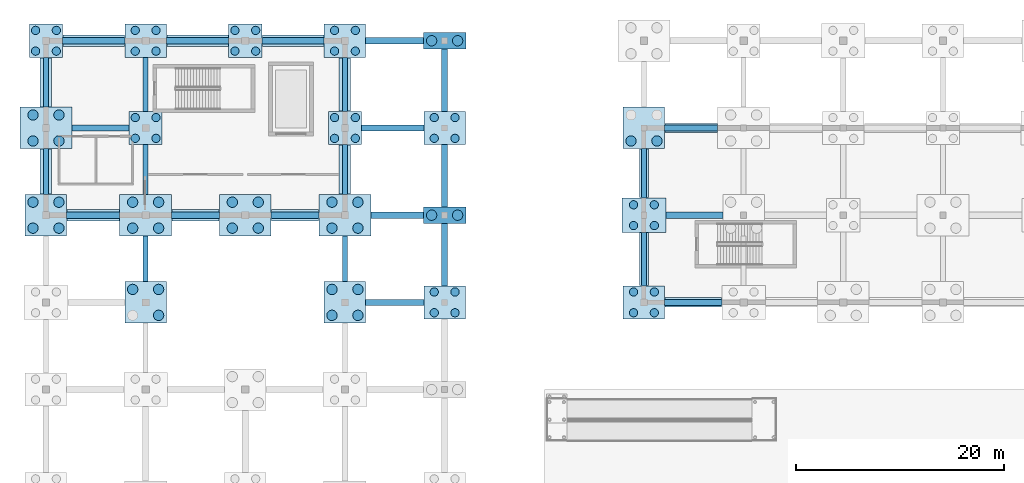
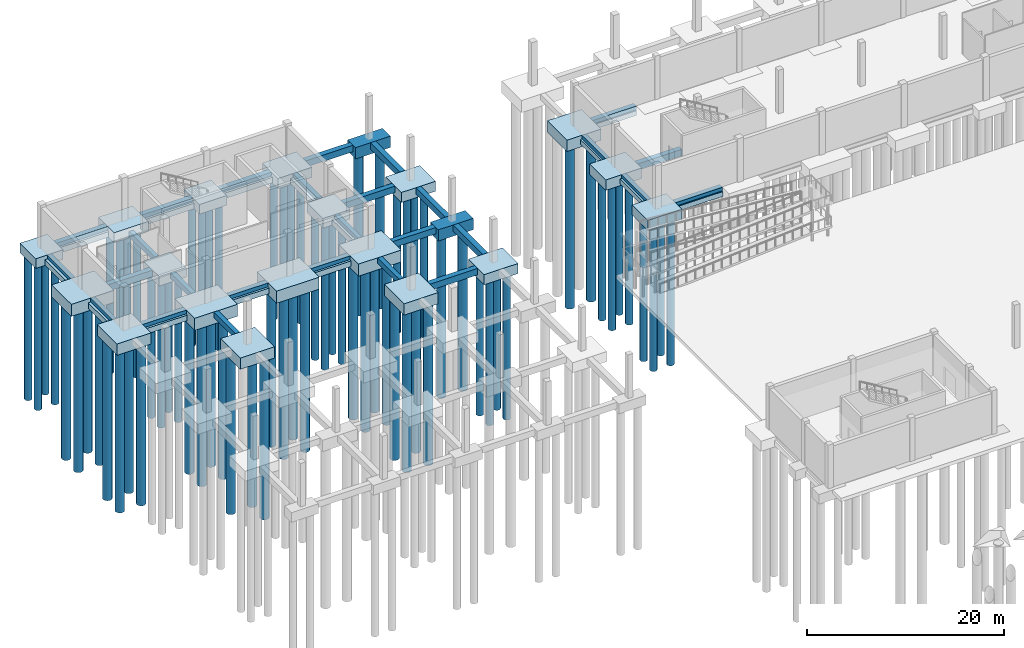
# One storey, part 5 of 41: 73 piles, 61 footings.
"""IFC4 building model written with IfcOpenShell, lengths in metres."""

from ifc_helpers import new_model, si_unit, direction, frame, origin, origin_2d, place, context, subcontext, project, spatial, rectangle, circle, extrude, material, material_profile, profile_set, type_object, element, save


model = new_model("IFC4")

# Units and contexts
model_context = context("Model", 3, precision=1e-05, world=origin(), true_north=direction((0.0, 1.0)))
body_context = subcontext(model_context, "Body", "Model", "MODEL_VIEW")
ifc_project = project(units=[si_unit("LENGTHUNIT", "METRE"), si_unit("AREAUNIT", "SQUARE_METRE"), si_unit("VOLUMEUNIT", "CUBIC_METRE"), si_unit("PLANEANGLEUNIT", "RADIAN"), si_unit("MASSUNIT", "GRAM", prefix="KILO")], contexts=[model_context])

# Site, building, storey
site_placement = place(None, origin())
site = spatial("IfcSite", under=ifc_project, at=site_placement, CompositionType="ELEMENT")
building_placement = place(site_placement, origin())
building = spatial("IfcBuilding", under=site, at=building_placement, Name="Shalvenor Court Art Gallery", CompositionType="ELEMENT")
storey_placement = place(building_placement, frame((0.0, 0.0, -5.39990234375)))
storey = spatial("IfcBuildingStorey", under=building, at=storey_placement, Name="B01", CompositionType="ELEMENT", Elevation=-5.39990234375)

# Footings
ifc_material_1 = material(Name="Concrete C35/45", Category="concrete")
footing_type_1 = type_object("IfcFootingType", Name="GB-01", PredefinedType="FOOTING_BEAM", material=ifc_material_1)
for number, where, z_axis, x_axis, name in (
    (1, (38.39990234375, 101.800048828125, -0.80029296875), (0.0, 0.0, 1.0), (0.0, 1.0, 0.0), "B01 Ground Tie Beam FTG-227"),
    (2, (38.39990234375, 109.39990234375, -0.80029296875), (0.0, 0.0, 1.0), (0.0, 1.0, 0.0), "B01 Ground Tie Beam FTG-228"),
    (3, (38.39990234375, 118.60009765625, -0.80029296875), (0.0, 0.0, 1.0), (0.0, 1.0, 0.0), "B01 Ground Tie Beam FTG-229"),
):
    element("IfcFooting", number, at=place(storey_placement, frame(where, z_axis=z_axis, x_axis=x_axis)), inside=storey, type_object=footing_type_1, Name=name, PredefinedType="FOOTING_BEAM", context=body_context, shape_type="SweptSolid", body=[
        extrude(rectangle(XDim=6.0, YDim=0.60009765625, at=origin_2d()), origin(), (0.0, 0.0, 1.0), 0.800048828125),
    ])
footing_1_placement = place(storey_placement, frame((33.60009765625, 97.199951171875, -0.80029296875), z_axis=(0.0, 0.0, 1.0), x_axis=(1.0, 0.0, 0.0)))
element("IfcFooting", 4, at=footing_1_placement, inside=storey, type_object=footing_type_1, Name="B01 Ground Tie Beam FTG-433", PredefinedType="FOOTING_BEAM", context=body_context, shape_type="SweptSolid", body=[
    extrude(rectangle(XDim=5.60009765625, YDim=0.60009765625, at=origin_2d()), origin(), (0.0, 0.0, 1.0), 0.800048828125),
])
footing_2_placement = place(storey_placement, frame((62.35009765625, 97.199951171875, -0.80029296875), z_axis=(0.0, 0.0, 1.0), x_axis=(1.0, 0.0, 0.0)))
element("IfcFooting", 5, at=footing_2_placement, inside=storey, type_object=footing_type_1, Name="B01 Ground Tie Beam FTG-434", PredefinedType="FOOTING_BEAM", context=body_context, shape_type="SweptSolid", body=[
    extrude(rectangle(XDim=5.5, YDim=0.60009765625, at=origin_2d()), origin(), (0.0, 0.0, 1.0), 0.800048828125),
])
footing_3_placement = place(storey_placement, frame((4.550048828125, 105.60009765625, -0.80029296875), z_axis=(0.0, 0.0, 1.0), x_axis=(1.0, 0.0, 0.0)))
element("IfcFooting", 6, at=footing_3_placement, inside=storey, type_object=footing_type_1, Name="B01 Ground Tie Beam FTG-447", PredefinedType="FOOTING_BEAM", context=body_context, shape_type="SweptSolid", body=[
    extrude(rectangle(XDim=5.10009765625, YDim=0.60009765625, at=origin_2d()), origin(), (0.0, 0.0, 1.0), 0.800048828125),
])
for number, where, z_axis, x_axis, name in (
    (7, (14.39990234375, 105.60009765625, -0.80029296875), (0.0, 0.0, 1.0), (1.0, 0.0, 0.0), "B01 Ground Tie Beam FTG-448"),
    (8, (24.0, 105.60009765625, -0.80029296875), (0.0, 0.0, 1.0), (1.0, 0.0, 0.0), "B01 Ground Tie Beam FTG-449"),
):
    element("IfcFooting", number, at=place(storey_placement, frame(where, z_axis=z_axis, x_axis=x_axis)), inside=storey, type_object=footing_type_1, Name=name, PredefinedType="FOOTING_BEAM", context=body_context, shape_type="SweptSolid", body=[
        extrude(rectangle(XDim=4.60009765625, YDim=0.60009765625, at=origin_2d()), origin(), (0.0, 0.0, 1.0), 0.800048828125),
    ])
footing_4_placement = place(storey_placement, frame((33.824951171875, 105.60009765625, -0.80029296875), z_axis=(0.0, 0.0, 1.0), x_axis=(1.0, 0.0, 0.0)))
element("IfcFooting", 9, at=footing_4_placement, inside=storey, type_object=footing_type_1, Name="B01 Ground Tie Beam FTG-450", PredefinedType="FOOTING_BEAM", context=body_context, shape_type="SweptSolid", body=[
    extrude(rectangle(XDim=5.050048828125, YDim=0.60009765625, at=origin_2d()), origin(), (0.0, 0.0, 1.0), 0.800048828125),
])
for number, where, z_axis, x_axis, name in (
    (10, (62.449951171875, 105.60009765625, -1.22021484375), (0.0, 0.0, 1.0), (1.0, 0.0, 0.0), "B01 Ground Tie Beam FTG-451"),
    (11, (5.25, 114.0, -1.26025390625), (0.0, 0.0, 1.0), (1.0, 0.0, 0.0), "B01 Ground Tie Beam FTG-456"),
):
    element("IfcFooting", number, at=place(storey_placement, frame(where, z_axis=z_axis, x_axis=x_axis)), inside=storey, type_object=footing_type_1, Name=name, PredefinedType="FOOTING_BEAM", context=body_context, shape_type="SweptSolid", body=[
        extrude(rectangle(XDim=5.5, YDim=0.60009765625, at=origin_2d()), origin(), (0.0, 0.0, 1.0), 0.800048828125),
    ])
footing_5_placement = place(storey_placement, frame((33.39990234375, 114.0, -0.80029296875), z_axis=(0.0, 0.0, 1.0), x_axis=(1.0, 0.0, 0.0)))
element("IfcFooting", 12, at=footing_5_placement, inside=storey, type_object=footing_type_1, Name="B01 Ground Tie Beam FTG-457", PredefinedType="FOOTING_BEAM", context=body_context, shape_type="SweptSolid", body=[
    extrude(rectangle(XDim=6.0, YDim=0.60009765625, at=origin_2d()), origin(), (0.0, 0.0, 1.0), 0.800048828125),
])
footing_6_placement = place(storey_placement, frame((62.14990234375, 114.0, -0.80029296875), z_axis=(0.0, 0.0, 1.0), x_axis=(1.0, 0.0, 0.0)))
element("IfcFooting", 13, at=footing_6_placement, inside=storey, type_object=footing_type_1, Name="B01 Ground Tie Beam FTG-458", PredefinedType="FOOTING_BEAM", context=body_context, shape_type="SweptSolid", body=[
    extrude(rectangle(XDim=5.10009765625, YDim=0.60009765625, at=origin_2d()), origin(), (0.0, 0.0, 1.0), 0.800048828125),
])
for number, where, z_axis, x_axis, name in (
    (14, (4.60009765625, 122.39990234375, -0.80029296875), (0.0, 0.0, 1.0), (1.0, 0.0, 0.0), "B01 Ground Tie Beam FTG-465"),
    (15, (14.60009765625, 122.39990234375, -0.80029296875), (0.0, 0.0, 1.0), (1.0, 0.0, 0.0), "B01 Ground Tie Beam FTG-466"),
    (16, (23.800048828125, 122.39990234375, -0.80029296875), (0.0, 0.0, 1.0), (1.0, 0.0, 0.0), "B01 Ground Tie Beam FTG-467"),
):
    element("IfcFooting", number, at=place(storey_placement, frame(where, z_axis=z_axis, x_axis=x_axis)), inside=storey, type_object=footing_type_1, Name=name, PredefinedType="FOOTING_BEAM", context=body_context, shape_type="SweptSolid", body=[
        extrude(rectangle(XDim=6.0, YDim=0.60009765625, at=origin_2d()), origin(), (0.0, 0.0, 1.0), 0.800048828125),
    ])
footing_7_placement = place(storey_placement, frame((33.574951171875, 122.39990234375, -0.80029296875), z_axis=(0.0, 0.0, 1.0), x_axis=(1.0, 0.0, 0.0)))
element("IfcFooting", 17, at=footing_7_placement, inside=storey, type_object=footing_type_1, Name="B01 Ground Tie Beam FTG-468", PredefinedType="FOOTING_BEAM", context=body_context, shape_type="SweptSolid", body=[
    extrude(rectangle(XDim=5.550048828125, YDim=0.60009765625, at=origin_2d()), origin(), (0.0, 0.0, 1.0), 0.800048828125),
])
ifc_material_2 = material(Name="Concrete C35/45", Category="concrete")
footing_type_2 = type_object("IfcFootingType", Name="GB-02", PredefinedType="FOOTING_BEAM", material=ifc_material_2)
footing_8_placement = place(storey_placement, frame((0.0, 109.800048828125, -0.7001953125), z_axis=(0.0, 0.0, 1.0), x_axis=(0.0, 1.0, 0.0)))
element("IfcFooting", 18, at=footing_8_placement, inside=storey, type_object=footing_type_2, Name="B01 Ground Tie Beam FTG-196", PredefinedType="FOOTING_BEAM", context=body_context, shape_type="SweptSolid", body=[
    extrude(rectangle(XDim=4.39990234375, YDim=0.5, at=origin_2d()), origin(), (0.0, 0.0, 1.0), 0.699951171875),
])
footing_9_placement = place(storey_placement, frame((0.0, 118.39990234375, -0.7001953125), z_axis=(0.0, 0.0, 1.0), x_axis=(0.0, 1.0, 0.0)))
element("IfcFooting", 19, at=footing_9_placement, inside=storey, type_object=footing_type_2, Name="B01 Ground Tie Beam FTG-197", PredefinedType="FOOTING_BEAM", context=body_context, shape_type="SweptSolid", body=[
    extrude(rectangle(XDim=4.800048828125, YDim=0.5, at=origin_2d()), origin(), (0.0, 0.0, 1.0), 0.699951171875),
])
footing_10_placement = place(storey_placement, frame((9.60009765625, 101.39990234375, -0.7001953125), z_axis=(0.0, 0.0, 1.0), x_axis=(0.0, 1.0, 0.0)))
element("IfcFooting", 20, at=footing_10_placement, inside=storey, type_object=footing_type_2, Name="B01 Ground Tie Beam FTG-204", PredefinedType="FOOTING_BEAM", context=body_context, shape_type="SweptSolid", body=[
    extrude(rectangle(XDim=4.39990234375, YDim=0.5, at=origin_2d()), origin(), (0.0, 0.0, 1.0), 0.699951171875),
])
footing_11_placement = place(storey_placement, frame((9.60009765625, 110.0, -1.16015625), z_axis=(0.0, 0.0, 1.0), x_axis=(0.0, 1.0, 0.0)))
element("IfcFooting", 21, at=footing_11_placement, inside=storey, type_object=footing_type_2, Name="B01 Ground Tie Beam FTG-205", PredefinedType="FOOTING_BEAM", context=body_context, shape_type="SweptSolid", body=[
    extrude(rectangle(XDim=4.800048828125, YDim=0.5, at=origin_2d()), origin(), (0.0, 0.0, 1.0), 0.699951171875),
])
footing_12_placement = place(storey_placement, frame((9.60009765625, 118.199951171875, -1.16015625), z_axis=(0.0, 0.0, 1.0), x_axis=(0.0, 1.0, 0.0)))
element("IfcFooting", 22, at=footing_12_placement, inside=storey, type_object=footing_type_2, Name="B01 Ground Tie Beam FTG-206", PredefinedType="FOOTING_BEAM", context=body_context, shape_type="SweptSolid", body=[
    extrude(rectangle(XDim=5.199951171875, YDim=0.5, at=origin_2d()), origin(), (0.0, 0.0, 1.0), 0.699951171875),
])
footing_13_placement = place(storey_placement, frame((28.800048828125, 101.39990234375, -0.7001953125), z_axis=(0.0, 0.0, 1.0), x_axis=(0.0, 1.0, 0.0)))
element("IfcFooting", 23, at=footing_13_placement, inside=storey, type_object=footing_type_2, Name="B01 Ground Tie Beam FTG-218", PredefinedType="FOOTING_BEAM", context=body_context, shape_type="SweptSolid", body=[
    extrude(rectangle(XDim=4.39990234375, YDim=0.5, at=origin_2d()), origin(), (0.0, 0.0, 1.0), 0.699951171875),
])
footing_14_placement = place(storey_placement, frame((28.800048828125, 110.0, -0.7001953125), z_axis=(0.0, 0.0, 1.0), x_axis=(0.0, 1.0, 0.0)))
element("IfcFooting", 24, at=footing_14_placement, inside=storey, type_object=footing_type_2, Name="B01 Ground Tie Beam FTG-219", PredefinedType="FOOTING_BEAM", context=body_context, shape_type="SweptSolid", body=[
    extrude(rectangle(XDim=4.800048828125, YDim=0.5, at=origin_2d()), origin(), (0.0, 0.0, 1.0), 0.699951171875),
])
footing_15_placement = place(storey_placement, frame((28.800048828125, 118.199951171875, -0.7001953125), z_axis=(0.0, 0.0, 1.0), x_axis=(0.0, 1.0, 0.0)))
element("IfcFooting", 25, at=footing_15_placement, inside=storey, type_object=footing_type_2, Name="B01 Ground Tie Beam FTG-220", PredefinedType="FOOTING_BEAM", context=body_context, shape_type="SweptSolid", body=[
    extrude(rectangle(XDim=5.199951171875, YDim=0.5, at=origin_2d()), origin(), (0.0, 0.0, 1.0), 0.699951171875),
])
footing_16_placement = place(storey_placement, frame((57.60009765625, 101.375, -0.7001953125), z_axis=(0.0, 0.0, 1.0), x_axis=(0.0, 1.0, 0.0)))
element("IfcFooting", 26, at=footing_16_placement, inside=storey, type_object=footing_type_2, Name="B01 Ground Tie Beam FTG-239", PredefinedType="FOOTING_BEAM", context=body_context, shape_type="SweptSolid", body=[
    extrude(rectangle(XDim=5.14990234375, YDim=0.5, at=origin_2d()), origin(), (0.0, 0.0, 1.0), 0.699951171875),
])
footing_17_placement = place(storey_placement, frame((57.60009765625, 109.625, -0.7001953125), z_axis=(0.0, 0.0, 1.0), x_axis=(0.0, 1.0, 0.0)))
element("IfcFooting", 27, at=footing_17_placement, inside=storey, type_object=footing_type_2, Name="B01 Ground Tie Beam FTG-240", PredefinedType="FOOTING_BEAM", context=body_context, shape_type="SweptSolid", body=[
    extrude(rectangle(XDim=4.75, YDim=0.5, at=origin_2d()), origin(), (0.0, 0.0, 1.0), 0.699951171875),
])
ifc_material_3 = material(Name="Concrete C35/45", Category="concrete")
footing_type_3 = type_object("IfcFootingType", Name="PC-02", PredefinedType="PILE_CAP", material=ifc_material_3)
for number, where, z_axis, x_axis, name in (
    (28, (0.0, 122.39990234375, -1.2001953125), (0.0, 0.0, 1.0), (1.0, 0.0, 0.0), "B01 Pile Cap FTG-011"),
    (29, (9.60009765625, 114.0, -1.66015625), (0.0, 0.0, 1.0), (1.0, 0.0, 0.0), "B01 Pile Cap FTG-021"),
    (30, (19.199951171875, 122.39990234375, -1.2001953125), (0.0, 0.0, 1.0), (1.0, 0.0, 0.0), "B01 Pile Cap FTG-031"),
    (31, (28.800048828125, 114.0, -1.2001953125), (0.0, 0.0, 1.0), (1.0, 0.0, 0.0), "B01 Pile Cap FTG-041"),
):
    element("IfcFooting", number, at=place(storey_placement, frame(where, z_axis=z_axis, x_axis=x_axis)), inside=storey, type_object=footing_type_3, Name=name, PredefinedType="PILE_CAP", context=body_context, shape_type="SweptSolid", body=[
        extrude(rectangle(XDim=3.199951171875, YDim=3.199951171875, at=origin_2d()), origin(), (0.0, 0.0, 1.0), 1.199951171875),
    ])
ifc_material_4 = material(Name="Concrete C35/45", Category="concrete")
footing_type_4 = type_object("IfcFootingType", Name="PC-03", PredefinedType="PILE_CAP", material=ifc_material_4)
for number, where, z_axis, x_axis, name in (
    (32, (9.60009765625, 122.39990234375, -1.25), (0.0, 0.0, 1.0), (1.0, 0.0, 0.0), "B01 Pile Cap FTG-022"),
    (33, (28.800048828125, 122.39990234375, -1.25), (0.0, 0.0, 1.0), (1.0, 0.0, 0.0), "B01 Pile Cap FTG-042"),
    (34, (38.39990234375, 97.199951171875, -1.25), (0.0, 0.0, 1.0), (1.0, 0.0, 0.0), "B01 Pile Cap FTG-050"),
    (35, (38.39990234375, 114.0, -1.25), (0.0, 0.0, 1.0), (1.0, 0.0, 0.0), "B01 Pile Cap FTG-052"),
    (36, (57.60009765625, 97.199951171875, -1.25), (0.0, 0.0, 1.0), (1.0, 0.0, 0.0), "B01 Pile Cap FTG-067"),
):
    element("IfcFooting", number, at=place(storey_placement, frame(where, z_axis=z_axis, x_axis=x_axis)), inside=storey, type_object=footing_type_4, Name=name, PredefinedType="PILE_CAP", context=body_context, shape_type="SweptSolid", body=[
        extrude(rectangle(XDim=4.0, YDim=3.199951171875, at=origin_2d()), origin(), (0.0, 0.0, 1.0), 1.25),
    ])
ifc_material_5 = material(Name="Concrete C35/45", Category="concrete")
footing_type_5 = type_object("IfcFootingType", Name="PC-04", PredefinedType="PILE_CAP", material=ifc_material_5)
footing_18_placement = place(storey_placement, frame((57.60009765625, 105.60009765625, -1.30029296875), z_axis=(0.0, 0.0, 1.0), x_axis=(1.0, 0.0, 0.0)))
element("IfcFooting", 37, at=footing_18_placement, inside=storey, type_object=footing_type_5, Name="B01 Pile Cap FTG-068", PredefinedType="PILE_CAP", context=body_context, shape_type="SweptSolid", body=[
    extrude(rectangle(XDim=4.199951171875, YDim=3.300048828125, at=origin_2d()), origin(), (0.0, 0.0, 1.0), 1.300048828125),
])
ifc_material_6 = material(Name="Concrete C35/45", Category="concrete")
footing_type_6 = type_object("IfcFootingType", Name="PC-05", PredefinedType="PILE_CAP", material=ifc_material_6)
for number, where, z_axis, x_axis, name in (
    (38, (38.39990234375, 105.60009765625, -1.400146484375), (0.0, 0.0, 1.0), (1.0, 0.0, 0.0), "B01 Pile Cap FTG-051"),
    (39, (38.39990234375, 122.39990234375, -1.400146484375), (0.0, 0.0, 1.0), (1.0, 0.0, 0.0), "B01 Pile Cap FTG-053"),
):
    element("IfcFooting", number, at=place(storey_placement, frame(where, z_axis=z_axis, x_axis=x_axis)), inside=storey, type_object=footing_type_6, Name=name, PredefinedType="PILE_CAP", context=body_context, shape_type="SweptSolid", body=[
        extrude(rectangle(XDim=4.10009765625, YDim=1.60009765625, at=origin_2d()), origin(), (0.0, 0.0, 1.0), 1.39990234375),
    ])
ifc_material_7 = material(Name="Concrete C35/45", Category="concrete")
footing_type_7 = type_object("IfcFootingType", Name="PC-06", PredefinedType="PILE_CAP", material=ifc_material_7)
for number, where, z_axis, x_axis, name in (
    (40, (0.0, 105.60009765625, -1.400146484375), (0.0, 0.0, 1.0), (1.0, 0.0, 0.0), "B01 Pile Cap FTG-009"),
    (41, (9.60009765625, 97.199951171875, -1.400146484375), (0.0, 0.0, 1.0), (1.0, 0.0, 0.0), "B01 Pile Cap FTG-019"),
    (42, (28.800048828125, 97.199951171875, -1.400146484375), (0.0, 0.0, 1.0), (1.0, 0.0, 0.0), "B01 Pile Cap FTG-039"),
    (43, (57.60009765625, 114.0, -1.400146484375), (0.0, 0.0, 1.0), (1.0, 0.0, 0.0), "B01 Pile Cap FTG-069"),
):
    element("IfcFooting", number, at=place(storey_placement, frame(where, z_axis=z_axis, x_axis=x_axis)), inside=storey, type_object=footing_type_7, Name=name, PredefinedType="PILE_CAP", context=body_context, shape_type="SweptSolid", body=[
        extrude(rectangle(XDim=4.0, YDim=4.0, at=origin_2d()), origin(), (0.0, 0.0, 1.0), 1.39990234375),
    ])
ifc_material_8 = material(Name="Concrete C35/45", Category="concrete")
footing_type_8 = type_object("IfcFootingType", Name="PC-07", PredefinedType="PILE_CAP", material=ifc_material_8)
for number, where, z_axis, x_axis, name in (
    (44, (0.0, 114.0, -1.5), (0.0, 0.0, 1.0), (1.0, 0.0, 0.0), "B01 Pile Cap FTG-010"),
    (45, (9.60009765625, 105.60009765625, -1.5), (0.0, 0.0, 1.0), (1.0, 0.0, 0.0), "B01 Pile Cap FTG-020"),
    (46, (19.199951171875, 105.60009765625, -1.5), (0.0, 0.0, 1.0), (1.0, 0.0, 0.0), "B01 Pile Cap FTG-030"),
    (47, (28.800048828125, 105.60009765625, -1.5), (0.0, 0.0, 1.0), (1.0, 0.0, 0.0), "B01 Pile Cap FTG-040"),
):
    element("IfcFooting", number, at=place(storey_placement, frame(where, z_axis=z_axis, x_axis=x_axis)), inside=storey, type_object=footing_type_8, Name=name, PredefinedType="PILE_CAP", context=body_context, shape_type="SweptSolid", body=[
        extrude(rectangle(XDim=5.0, YDim=4.0, at=origin_2d()), origin(), (0.0, 0.0, 1.0), 1.5),
    ])

# Piles
ifc_material_9 = material(Name="Concrete C35/45", Category="concrete")
ifc_material_profile_1 = material_profile(ifc_material_9, circle(Radius=0.5, at=origin_2d()), Name="PILE 1000")
ifc_profile_set_1 = profile_set([ifc_material_profile_1], Name="Concrete C35/45")
pile_type_1 = type_object("IfcPileType", Name="PL-1000", PredefinedType="BORED", material=ifc_profile_set_1)
for number, where, z_axis, x_axis, name in (
    (48, (-1.25, 104.35009765625, -1.300048828125), (0.0, 0.0, -1.0), (1.0, 0.0, 0.0), "B01 Bored Pile PIL-PL-1000-0029"),
    (49, (1.25, 104.35009765625, -1.300048828125), (0.0, 0.0, -1.0), (1.0, 0.0, 0.0), "B01 Bored Pile PIL-PL-1000-0030"),
    (50, (-1.25, 106.85009765625, -1.300048828125), (0.0, 0.0, -1.0), (1.0, 0.0, 0.0), "B01 Bored Pile PIL-PL-1000-0031"),
    (51, (1.25, 106.85009765625, -1.300048828125), (0.0, 0.0, -1.0), (1.0, 0.0, 0.0), "B01 Bored Pile PIL-PL-1000-0032"),
    (52, (-1.25, 112.75, -1.400146484375), (0.0, 0.0, -1.0), (1.0, 0.0, 0.0), "B01 Bored Pile PIL-PL-1000-0033"),
    (53, (1.25, 112.75, -1.400146484375), (0.0, 0.0, -1.0), (1.0, 0.0, 0.0), "B01 Bored Pile PIL-PL-1000-0034"),
    (54, (-1.25, 115.25, -1.400146484375), (0.0, 0.0, -1.0), (1.0, 0.0, 0.0), "B01 Bored Pile PIL-PL-1000-0035"),
    (55, (1.25, 115.25, -1.400146484375), (0.0, 0.0, -1.0), (1.0, 0.0, 0.0), "B01 Bored Pile PIL-PL-1000-0036"),
    (56, (10.85009765625, 95.949951171875, -1.300048828125), (0.0, 0.0, -1.0), (1.0, 0.0, 0.0), "B01 Bored Pile PIL-PL-1000-0064"),
    (57, (8.35009765625, 98.449951171875, -1.300048828125), (0.0, 0.0, -1.0), (1.0, 0.0, 0.0), "B01 Bored Pile PIL-PL-1000-0065"),
    (58, (10.85009765625, 98.449951171875, -1.300048828125), (0.0, 0.0, -1.0), (1.0, 0.0, 0.0), "B01 Bored Pile PIL-PL-1000-0066"),
    (59, (8.35009765625, 104.35009765625, -1.400146484375), (0.0, 0.0, -1.0), (1.0, 0.0, 0.0), "B01 Bored Pile PIL-PL-1000-0067"),
    (60, (10.85009765625, 104.35009765625, -1.400146484375), (0.0, 0.0, -1.0), (1.0, 0.0, 0.0), "B01 Bored Pile PIL-PL-1000-0068"),
    (61, (8.35009765625, 106.85009765625, -1.400146484375), (0.0, 0.0, -1.0), (1.0, 0.0, 0.0), "B01 Bored Pile PIL-PL-1000-0069"),
    (62, (10.85009765625, 106.85009765625, -1.400146484375), (0.0, 0.0, -1.0), (1.0, 0.0, 0.0), "B01 Bored Pile PIL-PL-1000-0070"),
    (63, (17.949951171875, 104.35009765625, -1.400146484375), (0.0, 0.0, -1.0), (1.0, 0.0, 0.0), "B01 Bored Pile PIL-PL-1000-0103"),
    (64, (20.449951171875, 104.35009765625, -1.400146484375), (0.0, 0.0, -1.0), (1.0, 0.0, 0.0), "B01 Bored Pile PIL-PL-1000-0104"),
    (65, (17.949951171875, 106.85009765625, -1.400146484375), (0.0, 0.0, -1.0), (1.0, 0.0, 0.0), "B01 Bored Pile PIL-PL-1000-0105"),
    (66, (20.449951171875, 106.85009765625, -1.400146484375), (0.0, 0.0, -1.0), (1.0, 0.0, 0.0), "B01 Bored Pile PIL-PL-1000-0106"),
    (67, (27.550048828125, 95.949951171875, -1.300048828125), (0.0, 0.0, -1.0), (1.0, 0.0, 0.0), "B01 Bored Pile PIL-PL-1000-0133"),
    (68, (30.050048828125, 95.949951171875, -1.300048828125), (0.0, 0.0, -1.0), (1.0, 0.0, 0.0), "B01 Bored Pile PIL-PL-1000-0134"),
    (69, (27.550048828125, 98.449951171875, -1.300048828125), (0.0, 0.0, -1.0), (1.0, 0.0, 0.0), "B01 Bored Pile PIL-PL-1000-0135"),
    (70, (30.050048828125, 98.449951171875, -1.300048828125), (0.0, 0.0, -1.0), (1.0, 0.0, 0.0), "B01 Bored Pile PIL-PL-1000-0136"),
    (71, (27.550048828125, 104.35009765625, -1.400146484375), (0.0, 0.0, -1.0), (1.0, 0.0, 0.0), "B01 Bored Pile PIL-PL-1000-0137"),
    (72, (30.050048828125, 104.35009765625, -1.400146484375), (0.0, 0.0, -1.0), (1.0, 0.0, 0.0), "B01 Bored Pile PIL-PL-1000-0138"),
    (73, (27.550048828125, 106.85009765625, -1.400146484375), (0.0, 0.0, -1.0), (1.0, 0.0, 0.0), "B01 Bored Pile PIL-PL-1000-0139"),
    (74, (30.050048828125, 106.85009765625, -1.400146484375), (0.0, 0.0, -1.0), (1.0, 0.0, 0.0), "B01 Bored Pile PIL-PL-1000-0140"),
    (75, (37.14990234375, 105.60009765625, -1.300048828125), (0.0, 0.0, -1.0), (1.0, 0.0, 0.0), "B01 Bored Pile PIL-PL-1000-0175"),
    (76, (39.64990234375, 105.60009765625, -1.300048828125), (0.0, 0.0, -1.0), (1.0, 0.0, 0.0), "B01 Bored Pile PIL-PL-1000-0176"),
    (77, (37.14990234375, 122.39990234375, -1.300048828125), (0.0, 0.0, -1.0), (1.0, 0.0, 0.0), "B01 Bored Pile PIL-PL-1000-0181"),
    (78, (39.64990234375, 122.39990234375, -1.300048828125), (0.0, 0.0, -1.0), (1.0, 0.0, 0.0), "B01 Bored Pile PIL-PL-1000-0182"),
    (79, (56.35009765625, 112.75, -1.300048828125), (0.0, 0.0, -1.0), (1.0, 0.0, 0.0), "B01 Bored Pile PIL-PL-1000-0233"),
    (80, (58.85009765625, 112.75, -1.300048828125), (0.0, 0.0, -1.0), (1.0, 0.0, 0.0), "B01 Bored Pile PIL-PL-1000-0234"),
):
    element("IfcPile", number, at=place(storey_placement, frame(where, z_axis=z_axis, x_axis=x_axis)), inside=storey, type_object=pile_type_1, Name=name, PredefinedType="BORED", context=body_context, shape_type="SweptSolid", body=[
        extrude(circle(Radius=0.5, at=origin_2d()), origin(), (0.0, 0.0, 1.0), 20.0),
    ])
ifc_material_10 = material(Name="Concrete C35/45", Category="concrete")
ifc_material_profile_2 = material_profile(ifc_material_10, circle(Radius=0.39990234375, at=origin_2d()), Name="PILE 800")
ifc_profile_set_2 = profile_set([ifc_material_profile_2], Name="Concrete C35/45")
pile_type_2 = type_object("IfcPileType", Name="PL-800", PredefinedType="BORED", material=ifc_profile_set_2)
for number, where, z_axis, x_axis, name in (
    (81, (-1.0, 121.39990234375, -1.10009765625), (0.0, 0.0, -1.0), (1.0, 0.0, 0.0), "B01 Bored Pile PIL-PL-800-0037"),
    (82, (1.0, 121.39990234375, -1.10009765625), (0.0, 0.0, -1.0), (1.0, 0.0, 0.0), "B01 Bored Pile PIL-PL-800-0038"),
    (83, (-1.0, 123.39990234375, -1.10009765625), (0.0, 0.0, -1.0), (1.0, 0.0, 0.0), "B01 Bored Pile PIL-PL-800-0039"),
    (84, (1.0, 123.39990234375, -1.10009765625), (0.0, 0.0, -1.0), (1.0, 0.0, 0.0), "B01 Bored Pile PIL-PL-800-0040"),
    (85, (8.60009765625, 113.0, -1.56005859375), (0.0, 0.0, -1.0), (1.0, 0.0, 0.0), "B01 Bored Pile PIL-PL-800-0071"),
    (86, (10.60009765625, 113.0, -1.56005859375), (0.0, 0.0, -1.0), (1.0, 0.0, 0.0), "B01 Bored Pile PIL-PL-800-0072"),
    (87, (8.60009765625, 115.0, -1.56005859375), (0.0, 0.0, -1.0), (1.0, 0.0, 0.0), "B01 Bored Pile PIL-PL-800-0073"),
    (88, (10.60009765625, 115.0, -1.56005859375), (0.0, 0.0, -1.0), (1.0, 0.0, 0.0), "B01 Bored Pile PIL-PL-800-0074"),
    (89, (8.60009765625, 121.39990234375, -1.150146484375), (0.0, 0.0, -1.0), (1.0, 0.0, 0.0), "B01 Bored Pile PIL-PL-800-0075"),
    (90, (10.60009765625, 121.39990234375, -1.150146484375), (0.0, 0.0, -1.0), (1.0, 0.0, 0.0), "B01 Bored Pile PIL-PL-800-0076"),
    (91, (8.60009765625, 123.39990234375, -1.150146484375), (0.0, 0.0, -1.0), (1.0, 0.0, 0.0), "B01 Bored Pile PIL-PL-800-0077"),
    (92, (10.60009765625, 123.39990234375, -1.150146484375), (0.0, 0.0, -1.0), (1.0, 0.0, 0.0), "B01 Bored Pile PIL-PL-800-0078"),
    (93, (18.199951171875, 121.39990234375, -1.10009765625), (0.0, 0.0, -1.0), (1.0, 0.0, 0.0), "B01 Bored Pile PIL-PL-800-0107"),
    (94, (20.199951171875, 121.39990234375, -1.10009765625), (0.0, 0.0, -1.0), (1.0, 0.0, 0.0), "B01 Bored Pile PIL-PL-800-0108"),
    (95, (18.199951171875, 123.39990234375, -1.10009765625), (0.0, 0.0, -1.0), (1.0, 0.0, 0.0), "B01 Bored Pile PIL-PL-800-0109"),
    (96, (20.199951171875, 123.39990234375, -1.10009765625), (0.0, 0.0, -1.0), (1.0, 0.0, 0.0), "B01 Bored Pile PIL-PL-800-0110"),
    (97, (27.800048828125, 113.0, -1.10009765625), (0.0, 0.0, -1.0), (1.0, 0.0, 0.0), "B01 Bored Pile PIL-PL-800-0141"),
    (98, (29.800048828125, 113.0, -1.10009765625), (0.0, 0.0, -1.0), (1.0, 0.0, 0.0), "B01 Bored Pile PIL-PL-800-0142"),
    (99, (27.800048828125, 115.0, -1.10009765625), (0.0, 0.0, -1.0), (1.0, 0.0, 0.0), "B01 Bored Pile PIL-PL-800-0143"),
    (100, (29.800048828125, 115.0, -1.10009765625), (0.0, 0.0, -1.0), (1.0, 0.0, 0.0), "B01 Bored Pile PIL-PL-800-0144"),
    (101, (27.800048828125, 121.39990234375, -1.150146484375), (0.0, 0.0, -1.0), (1.0, 0.0, 0.0), "B01 Bored Pile PIL-PL-800-0145"),
    (102, (29.800048828125, 121.39990234375, -1.150146484375), (0.0, 0.0, -1.0), (1.0, 0.0, 0.0), "B01 Bored Pile PIL-PL-800-0146"),
    (103, (27.800048828125, 123.39990234375, -1.150146484375), (0.0, 0.0, -1.0), (1.0, 0.0, 0.0), "B01 Bored Pile PIL-PL-800-0147"),
    (104, (29.800048828125, 123.39990234375, -1.150146484375), (0.0, 0.0, -1.0), (1.0, 0.0, 0.0), "B01 Bored Pile PIL-PL-800-0148"),
    (105, (37.39990234375, 96.199951171875, -1.150146484375), (0.0, 0.0, -1.0), (1.0, 0.0, 0.0), "B01 Bored Pile PIL-PL-800-0171"),
    (106, (39.39990234375, 96.199951171875, -1.150146484375), (0.0, 0.0, -1.0), (1.0, 0.0, 0.0), "B01 Bored Pile PIL-PL-800-0172"),
    (107, (37.39990234375, 98.199951171875, -1.150146484375), (0.0, 0.0, -1.0), (1.0, 0.0, 0.0), "B01 Bored Pile PIL-PL-800-0173"),
    (108, (39.39990234375, 98.199951171875, -1.150146484375), (0.0, 0.0, -1.0), (1.0, 0.0, 0.0), "B01 Bored Pile PIL-PL-800-0174"),
    (109, (37.39990234375, 113.0, -1.150146484375), (0.0, 0.0, -1.0), (1.0, 0.0, 0.0), "B01 Bored Pile PIL-PL-800-0177"),
    (110, (39.39990234375, 113.0, -1.150146484375), (0.0, 0.0, -1.0), (1.0, 0.0, 0.0), "B01 Bored Pile PIL-PL-800-0178"),
    (111, (37.39990234375, 115.0, -1.150146484375), (0.0, 0.0, -1.0), (1.0, 0.0, 0.0), "B01 Bored Pile PIL-PL-800-0179"),
    (112, (39.39990234375, 115.0, -1.150146484375), (0.0, 0.0, -1.0), (1.0, 0.0, 0.0), "B01 Bored Pile PIL-PL-800-0180"),
    (113, (56.60009765625, 96.199951171875, -1.150146484375), (0.0, 0.0, -1.0), (1.0, 0.0, 0.0), "B01 Bored Pile PIL-PL-800-0225"),
    (114, (58.60009765625, 96.199951171875, -1.150146484375), (0.0, 0.0, -1.0), (1.0, 0.0, 0.0), "B01 Bored Pile PIL-PL-800-0226"),
    (115, (56.60009765625, 98.199951171875, -1.150146484375), (0.0, 0.0, -1.0), (1.0, 0.0, 0.0), "B01 Bored Pile PIL-PL-800-0227"),
    (116, (58.60009765625, 98.199951171875, -1.150146484375), (0.0, 0.0, -1.0), (1.0, 0.0, 0.0), "B01 Bored Pile PIL-PL-800-0228"),
    (117, (56.60009765625, 104.60009765625, -1.2001953125), (0.0, 0.0, -1.0), (1.0, 0.0, 0.0), "B01 Bored Pile PIL-PL-800-0229"),
    (118, (58.60009765625, 104.60009765625, -1.2001953125), (0.0, 0.0, -1.0), (1.0, 0.0, 0.0), "B01 Bored Pile PIL-PL-800-0230"),
    (119, (56.60009765625, 106.60009765625, -1.2001953125), (0.0, 0.0, -1.0), (1.0, 0.0, 0.0), "B01 Bored Pile PIL-PL-800-0231"),
    (120, (58.60009765625, 106.60009765625, -1.2001953125), (0.0, 0.0, -1.0), (1.0, 0.0, 0.0), "B01 Bored Pile PIL-PL-800-0232"),
):
    element("IfcPile", number, at=place(storey_placement, frame(where, z_axis=z_axis, x_axis=x_axis)), inside=storey, type_object=pile_type_2, Name=name, PredefinedType="BORED", context=body_context, shape_type="SweptSolid", body=[
        extrude(circle(Radius=0.39990234375, at=origin_2d()), origin(), (0.0, 0.0, 1.0), 18.0),
    ])

# Footings
ifc_material_11 = material(Name="Concrete C35/45", Category="concrete")
footing_type_9 = type_object("IfcFootingType", Name="SF-01", PredefinedType="STRIP_FOOTING", material=ifc_material_11)
footing_19_placement = place(storey_placement, frame((62.14990234375, 114.0, -1.020263671875), z_axis=(0.0, 0.0, 1.0), x_axis=(1.0, 0.0, 0.0)))
element("IfcFooting", 121, at=footing_19_placement, inside=storey, type_object=footing_type_9, Name="B01 Strip Footing FTG-499", PredefinedType="STRIP_FOOTING", context=body_context, shape_type="SweptSolid", body=[
    extrude(rectangle(XDim=5.02001953125, YDim=0.89990234375, at=origin_2d()), origin(), (0.0, 0.0, 1.0), 0.60009765625),
])
footing_20_placement = place(storey_placement, frame((62.35009765625, 97.199951171875, -1.020263671875), z_axis=(0.0, 0.0, 1.0), x_axis=(1.0, 0.0, 0.0)))
element("IfcFooting", 122, at=footing_20_placement, inside=storey, type_object=footing_type_9, Name="B01 Strip Footing FTG-514", PredefinedType="STRIP_FOOTING", context=body_context, shape_type="SweptSolid", body=[
    extrude(rectangle(XDim=5.419921875, YDim=0.89990234375, at=origin_2d()), origin(), (0.0, 0.0, 1.0), 0.60009765625),
])
footing_21_placement = place(storey_placement, frame((57.60009765625, 101.375, -1.020263671875), z_axis=(0.0, 0.0, 1.0), x_axis=(0.0, 1.0, 0.0)))
element("IfcFooting", 123, at=footing_21_placement, inside=storey, type_object=footing_type_9, Name="B01 Strip Footing FTG-515", PredefinedType="STRIP_FOOTING", context=body_context, shape_type="SweptSolid", body=[
    extrude(rectangle(XDim=5.070068359375, YDim=0.89990234375, at=origin_2d()), origin(), (0.0, 0.0, 1.0), 0.60009765625),
])
footing_22_placement = place(storey_placement, frame((57.60009765625, 109.625, -1.020263671875), z_axis=(0.0, 0.0, 1.0), x_axis=(0.0, 1.0, 0.0)))
element("IfcFooting", 124, at=footing_22_placement, inside=storey, type_object=footing_type_9, Name="B01 Strip Footing FTG-516", PredefinedType="STRIP_FOOTING", context=body_context, shape_type="SweptSolid", body=[
    extrude(rectangle(XDim=4.669921875, YDim=0.89990234375, at=origin_2d()), origin(), (0.0, 0.0, 1.0), 0.60009765625),
])
ifc_material_12 = material(Name="Concrete C35/45", Category="concrete")
footing_type_10 = type_object("IfcFootingType", Name="SF-02", PredefinedType="STRIP_FOOTING", material=ifc_material_12)
for number, where, z_axis, x_axis, name in (
    (125, (4.60009765625, 122.39990234375, -1.16015625), (0.0, 0.0, 1.0), (1.0, 0.0, 0.0), "B01 Strip Footing FTG-549"),
    (126, (14.60009765625, 122.39990234375, -1.16015625), (0.0, 0.0, 1.0), (1.0, 0.0, 0.0), "B01 Strip Footing FTG-550"),
    (127, (23.800048828125, 122.39990234375, -1.16015625), (0.0, 0.0, 1.0), (1.0, 0.0, 0.0), "B01 Strip Footing FTG-551"),
):
    element("IfcFooting", number, at=place(storey_placement, frame(where, z_axis=z_axis, x_axis=x_axis)), inside=storey, type_object=footing_type_10, Name=name, PredefinedType="STRIP_FOOTING", context=body_context, shape_type="SweptSolid", body=[
        extrude(rectangle(XDim=5.919921875, YDim=1.10009765625, at=origin_2d()), origin(), (0.0, 0.0, 1.0), 0.699951171875),
    ])
footing_23_placement = place(storey_placement, frame((28.800048828125, 118.199951171875, -1.16015625), z_axis=(0.0, 0.0, 1.0), x_axis=(0.0, 1.0, 0.0)))
element("IfcFooting", 128, at=footing_23_placement, inside=storey, type_object=footing_type_10, Name="B01 Strip Footing FTG-552", PredefinedType="STRIP_FOOTING", context=body_context, shape_type="SweptSolid", body=[
    extrude(rectangle(XDim=5.1201171875, YDim=1.10009765625, at=origin_2d()), origin(), (0.0, 0.0, 1.0), 0.699951171875),
])
footing_24_placement = place(storey_placement, frame((28.800048828125, 110.0, -1.16015625), z_axis=(0.0, 0.0, 1.0), x_axis=(0.0, 1.0, 0.0)))
element("IfcFooting", 129, at=footing_24_placement, inside=storey, type_object=footing_type_10, Name="B01 Strip Footing FTG-553", PredefinedType="STRIP_FOOTING", context=body_context, shape_type="SweptSolid", body=[
    extrude(rectangle(XDim=4.719970703125, YDim=1.10009765625, at=origin_2d()), origin(), (0.0, 0.0, 1.0), 0.699951171875),
])
for number, where, z_axis, x_axis, name in (
    (130, (24.0, 105.60009765625, -1.16015625), (0.0, 0.0, 1.0), (1.0, 0.0, 0.0), "B01 Strip Footing FTG-554"),
    (131, (14.39990234375, 105.60009765625, -1.16015625), (0.0, 0.0, 1.0), (1.0, 0.0, 0.0), "B01 Strip Footing FTG-555"),
):
    element("IfcFooting", number, at=place(storey_placement, frame(where, z_axis=z_axis, x_axis=x_axis)), inside=storey, type_object=footing_type_10, Name=name, PredefinedType="STRIP_FOOTING", context=body_context, shape_type="SweptSolid", body=[
        extrude(rectangle(XDim=4.52001953125, YDim=1.10009765625, at=origin_2d()), origin(), (0.0, 0.0, 1.0), 0.699951171875),
    ])
footing_25_placement = place(storey_placement, frame((4.550048828125, 105.60009765625, -1.16015625), z_axis=(0.0, 0.0, 1.0), x_axis=(1.0, 0.0, 0.0)))
element("IfcFooting", 132, at=footing_25_placement, inside=storey, type_object=footing_type_10, Name="B01 Strip Footing FTG-556", PredefinedType="STRIP_FOOTING", context=body_context, shape_type="SweptSolid", body=[
    extrude(rectangle(XDim=5.02001953125, YDim=1.10009765625, at=origin_2d()), origin(), (0.0, 0.0, 1.0), 0.699951171875),
])
footing_26_placement = place(storey_placement, frame((0.0, 109.800048828125, -1.16015625), z_axis=(0.0, 0.0, 1.0), x_axis=(0.0, 1.0, 0.0)))
element("IfcFooting", 133, at=footing_26_placement, inside=storey, type_object=footing_type_10, Name="B01 Strip Footing FTG-557", PredefinedType="STRIP_FOOTING", context=body_context, shape_type="SweptSolid", body=[
    extrude(rectangle(XDim=4.320068359375, YDim=1.10009765625, at=origin_2d()), origin(), (0.0, 0.0, 1.0), 0.699951171875),
])
footing_27_placement = place(storey_placement, frame((0.0, 118.39990234375, -1.16015625), z_axis=(0.0, 0.0, 1.0), x_axis=(0.0, 1.0, 0.0)))
element("IfcFooting", 134, at=footing_27_placement, inside=storey, type_object=footing_type_10, Name="B01 Strip Footing FTG-558", PredefinedType="STRIP_FOOTING", context=body_context, shape_type="SweptSolid", body=[
    extrude(rectangle(XDim=4.719970703125, YDim=1.10009765625, at=origin_2d()), origin(), (0.0, 0.0, 1.0), 0.699951171875),
])

save(model, "model.ifc")
